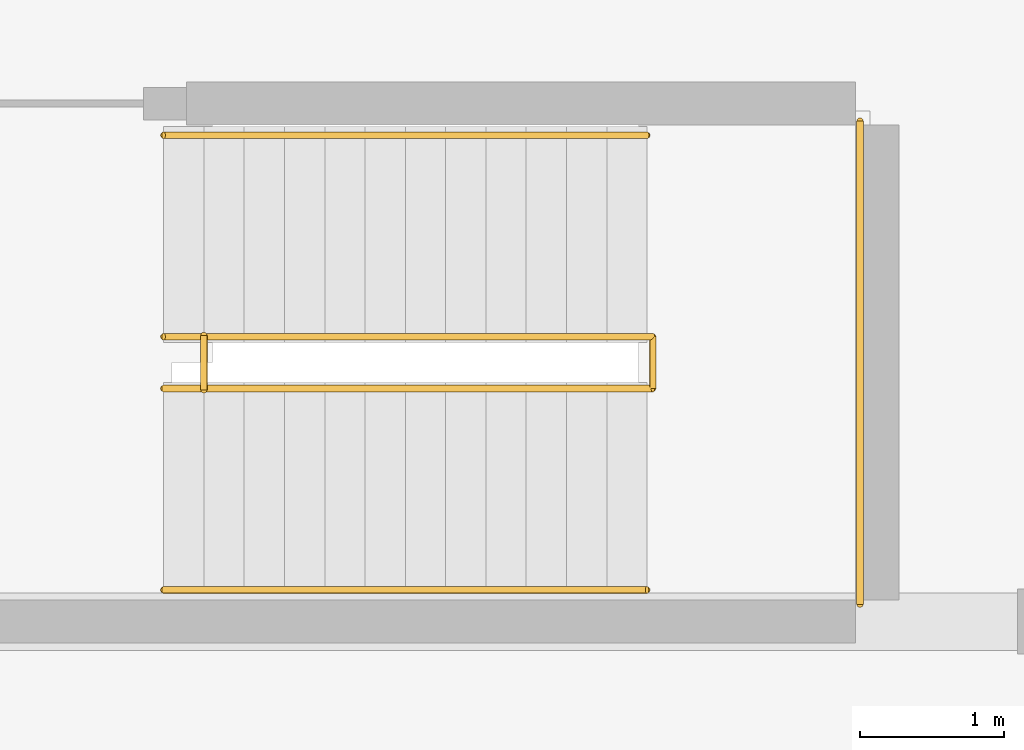
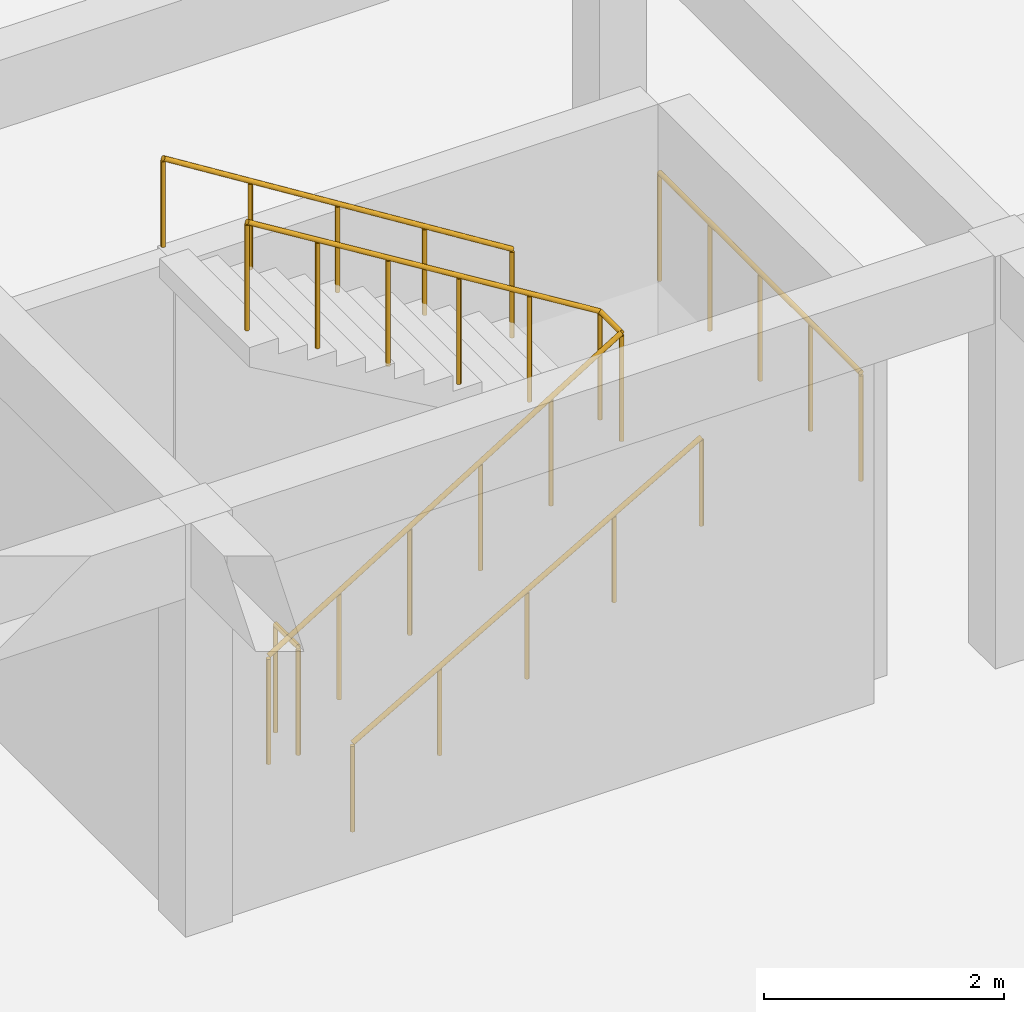
# One storey, part 68 of 75: 5 railings.
"""IFC4 building model written with IfcOpenShell, lengths in metres."""

from ifc_helpers import new_model, si_unit, direction, frame, origin, origin_2d, place, context, subcontext, project, spatial, circle, extrude, material, type_object, element, save


model = new_model("IFC4")

# Units and contexts
model_context = context("Model", 3, precision=1e-05, world=origin(), true_north=direction((0.0, 1.0)))
body_context = subcontext(model_context, "Body", "Model", "MODEL_VIEW")
ifc_project = project(units=[si_unit("LENGTHUNIT", "METRE"), si_unit("AREAUNIT", "SQUARE_METRE"), si_unit("VOLUMEUNIT", "CUBIC_METRE"), si_unit("PLANEANGLEUNIT", "RADIAN"), si_unit("MASSUNIT", "GRAM", prefix="KILO")], contexts=[model_context])

# Site, building, storey
site_placement = place(None, origin())
site = spatial("IfcSite", under=ifc_project, at=site_placement, CompositionType="ELEMENT")
building_placement = place(site_placement, origin())
building = spatial("IfcBuilding", under=site, at=building_placement, Name="Kernevlak Ridge Housing Community", CompositionType="ELEMENT")
storey_placement = place(building_placement, origin())
storey = spatial("IfcBuildingStorey", under=building, at=storey_placement, Name="L00", CompositionType="ELEMENT", Elevation=0.0)

# Railings
ifc_material_1 = material(Name="Steel S355", Category="steel")
railing_type_1 = type_object("IfcRailingType", Name="GR-02", PredefinedType="GUARDRAIL", material=ifc_material_1)
railing_1_placement = place(storey_placement, frame((105.719970703125, 37.010009765625, 0.0)))
element("IfcRailing", 1, at=railing_1_placement, inside=storey, type_object=railing_type_1, Name="Stair ST-P2 L00 well slot guard", PredefinedType="GUARDRAIL", context=body_context, shape_type="SweptSolid", body=[
    extrude(circle(Radius=0.02392578125, at=origin_2d()), frame((0.0, 0.0, 1.09619140625), z_axis=(0.0, 1.0, 0.0), x_axis=(-1.0, 0.0, 0.0)), (0.0, 0.0, 1.0), 0.3798828125),
    extrude(circle(Radius=0.02099609375, at=origin_2d()), origin(), (0.0, 0.0, 1.0), 1.072021484375),
    extrude(circle(Radius=0.02099609375, at=origin_2d()), frame((0.0, 0.3798828125, 0.0)), (0.0, 0.0, 1.0), 1.072021484375),
])
railing_2_placement = place(storey_placement, frame((105.43994140625, 37.02001953125, 0.0)))
element("IfcRailing", 2, at=railing_2_placement, inside=storey, type_object=railing_type_1, Name="Stair ST-P2 L00 inner well guardrail", PredefinedType="GUARDRAIL", context=body_context, shape_type="SweptSolid", body=[
    extrude(circle(Radius=0.02392578125, at=origin_2d()), frame((0.0, 0.0, 1.09619140625), z_axis=(0.850797194049, 0.0, 0.525494181317), x_axis=(0.0, 1.0, 0.0)), (0.0, 0.0, 1.0), 3.996337890625),
    extrude(circle(Radius=0.02392578125, at=origin_2d()), frame((3.400146484375, 0.0, 3.1962890625), z_axis=(0.0, 1.0, 0.0), x_axis=(-1.0, 0.0, 0.0)), (0.0, 0.0, 1.0), 0.35986328125),
    extrude(circle(Radius=0.02392578125, at=origin_2d()), frame((3.400146484375, 0.35986328125, 3.1962890625), z_axis=(-0.850824506338, 0.0, 0.525449959001), x_axis=(0.0, -1.0, 0.0)), (0.0, 0.0, 1.0), 3.996337890625),
    extrude(circle(Radius=0.02099609375, at=origin_2d()), origin(), (0.0, 0.0, 1.0), 1.072021484375),
    extrude(circle(Radius=0.02099609375, at=origin_2d()), frame((0.679931640625, 0.0, 0.419921875)), (0.0, 0.0, 1.0), 1.072021484375),
    extrude(circle(Radius=0.02099609375, at=origin_2d()), frame((1.360107421875, 0.0, 0.840087890625)), (0.0, 0.0, 1.0), 1.072021484375),
    extrude(circle(Radius=0.02099609375, at=origin_2d()), frame((2.0400390625, 0.0, 1.260009765625)), (0.0, 0.0, 1.0), 1.072021484375),
    extrude(circle(Radius=0.02099609375, at=origin_2d()), frame((2.72021484375, 0.0, 1.68017578125)), (0.0, 0.0, 1.0), 1.072021484375),
    extrude(circle(Radius=0.02099609375, at=origin_2d()), frame((3.400146484375, 0.0, 2.10009765625)), (0.0, 0.0, 1.0), 1.072021484375),
    extrude(circle(Radius=0.02099609375, at=origin_2d()), frame((3.400146484375, 0.35986328125, 2.10009765625)), (0.0, 0.0, 1.0), 1.072021484375),
    extrude(circle(Radius=0.02099609375, at=origin_2d()), frame((2.72021484375, 0.35986328125, 2.52001953125)), (0.0, 0.0, 1.0), 1.072021484375),
    extrude(circle(Radius=0.02099609375, at=origin_2d()), frame((2.0400390625, 0.35986328125, 2.93994140625)), (0.0, 0.0, 1.0), 1.072021484375),
    extrude(circle(Radius=0.02099609375, at=origin_2d()), frame((1.360107421875, 0.35986328125, 3.360107421875)), (0.0, 0.0, 1.0), 1.072021484375),
    extrude(circle(Radius=0.02099609375, at=origin_2d()), frame((0.679931640625, 0.35986328125, 3.780029296875)), (0.0, 0.0, 1.0), 1.072021484375),
    extrude(circle(Radius=0.02099609375, at=origin_2d()), frame((0.0, 0.35986328125, 4.199951171875)), (0.0, 0.0, 1.0), 1.072021484375),
])
railing_3_placement = place(storey_placement, frame((110.280029296875, 35.52001953125, 2.10009765625)))
element("IfcRailing", 3, at=railing_3_placement, inside=storey, type_object=railing_type_1, Name="Stair ST-P2 L00 half-landing guard", PredefinedType="GUARDRAIL", context=body_context, shape_type="SweptSolid", body=[
    extrude(circle(Radius=0.02392578125, at=origin_2d()), frame((0.0, 0.0, 1.09619140625), z_axis=(0.0, 1.0, 0.0), x_axis=(-1.0, 0.0, 0.0)), (0.0, 0.0, 1.0), 3.35986328125),
    extrude(circle(Radius=0.02099609375, at=origin_2d()), origin(), (0.0, 0.0, 1.0), 1.072021484375),
    extrude(circle(Radius=0.02099609375, at=origin_2d()), frame((0.0, 0.83984375, 0.0)), (0.0, 0.0, 1.0), 1.072021484375),
    extrude(circle(Radius=0.02099609375, at=origin_2d()), frame((0.0, 1.679931640625, 0.0)), (0.0, 0.0, 1.0), 1.072021484375),
    extrude(circle(Radius=0.02099609375, at=origin_2d()), frame((0.0, 2.52001953125, 0.0)), (0.0, 0.0, 1.0), 1.072021484375),
    extrude(circle(Radius=0.02099609375, at=origin_2d()), frame((0.0, 3.35986328125, 0.0)), (0.0, 0.0, 1.0), 1.072021484375),
])
ifc_material_2 = material(Name="Stainless steel EN 1.4401", Category="steel")
railing_type_2 = type_object("IfcRailingType", Name="HR-01", PredefinedType="HANDRAIL", material=ifc_material_2)
railing_4_placement = place(storey_placement, frame((105.43994140625, 35.6201171875, 0.16162109375)))
element("IfcRailing", 4, at=railing_4_placement, inside=storey, type_object=railing_type_2, Name="Stair ST-P2 L00 flight 1 handrail", PredefinedType="HANDRAIL", context=body_context, shape_type="SweptSolid", body=[
    extrude(circle(Radius=0.02392578125, at=origin_2d()), frame((0.0, 0.0, 0.89599609375), z_axis=(0.866190824863, 0.0, 0.499713372768), x_axis=(0.0, 1.0, 0.0)), (0.0, 0.0, 1.0), 3.879150390625),
    extrude(circle(Radius=0.02099609375, at=origin_2d()), origin(), (0.0, 0.0, 1.0), 0.871826171875),
    extrude(circle(Radius=0.02099609375, at=origin_2d()), frame((0.840087890625, 0.0, 0.484619140625)), (0.0, 0.0, 1.0), 0.871826171875),
    extrude(circle(Radius=0.02099609375, at=origin_2d()), frame((1.68017578125, 0.0, 0.96923828125)), (0.0, 0.0, 1.0), 0.871826171875),
    extrude(circle(Radius=0.02099609375, at=origin_2d()), frame((2.52001953125, 0.0, 1.453857421875)), (0.0, 0.0, 1.0), 0.871826171875),
    extrude(circle(Radius=0.02099609375, at=origin_2d()), frame((3.360107421875, 0.0, 1.9384765625)), (0.0, 0.0, 1.0), 0.871826171875),
])
railing_5_placement = place(storey_placement, frame((108.800048828125, 38.780029296875, 2.10009765625)))
element("IfcRailing", 5, at=railing_5_placement, inside=storey, type_object=railing_type_2, Name="Stair ST-P2 L00 flight 2 handrail", PredefinedType="HANDRAIL", context=body_context, shape_type="SweptSolid", body=[
    extrude(circle(Radius=0.02392578125, at=origin_2d()), frame((0.0, 0.0, 0.89599609375), z_axis=(-0.848022534174, 0.0, 0.529960169762), x_axis=(0.0, -1.0, 0.0)), (0.0, 0.0, 1.0), 3.96240234375),
    extrude(circle(Radius=0.02099609375, at=origin_2d()), origin(), (0.0, 0.0, 1.0), 0.871826171875),
    extrude(circle(Radius=0.02099609375, at=origin_2d()), frame((-0.840087890625, 0.0, 0.52490234375)), (0.0, 0.0, 1.0), 0.871826171875),
    extrude(circle(Radius=0.02099609375, at=origin_2d()), frame((-1.68017578125, 0.0, 1.0498046875)), (0.0, 0.0, 1.0), 0.871826171875),
    extrude(circle(Radius=0.02099609375, at=origin_2d()), frame((-2.52001953125, 0.0, 1.574951171875)), (0.0, 0.0, 1.0), 0.871826171875),
    extrude(circle(Radius=0.02099609375, at=origin_2d()), frame((-3.360107421875, 0.0, 2.099853515625)), (0.0, 0.0, 1.0), 0.871826171875),
])

save(model, "model.ifc")
